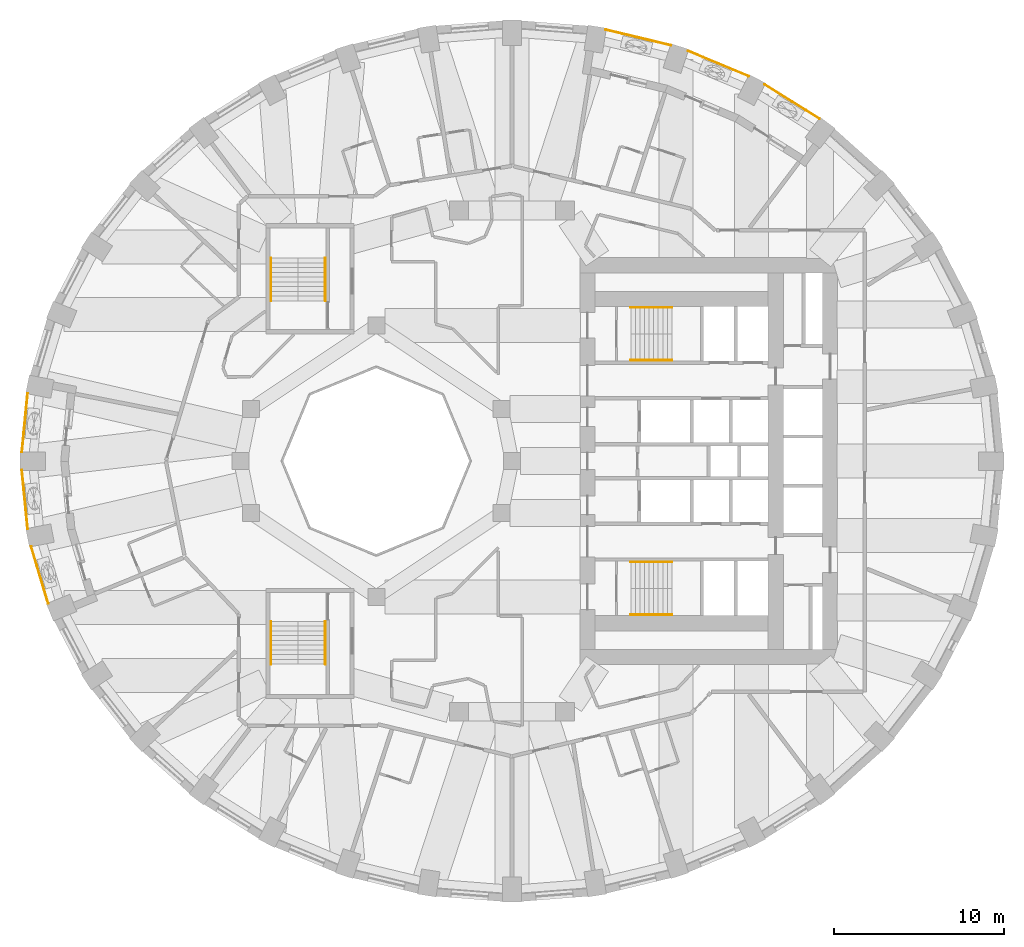
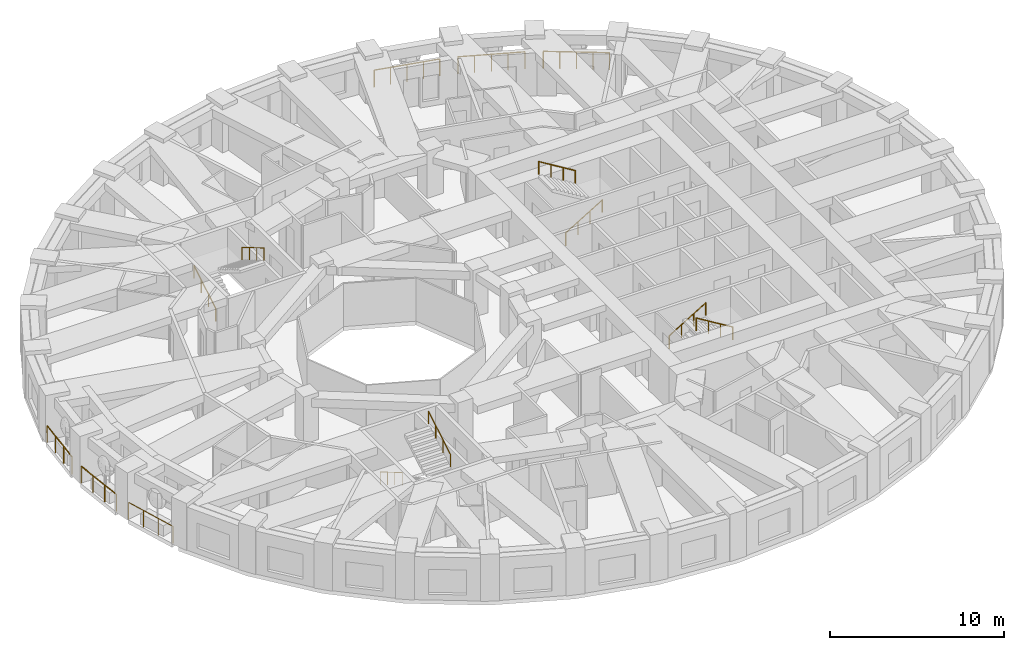
# One storey, part 12 of 14: 14 railings.
"""IFC4 building model written with IfcOpenShell, lengths in metres."""

from ifc_helpers import new_model, si_unit, direction, frame, origin, origin_2d, place, context, subcontext, project, spatial, circle, extrude, material, type_object, element, save


model = new_model("IFC4")

# Units and contexts
model_context = context("Model", 3, precision=1e-05, world=origin(), true_north=direction((0.0, 1.0)))
body_context = subcontext(model_context, "Body", "Model", "MODEL_VIEW")
ifc_project = project(units=[si_unit("LENGTHUNIT", "METRE"), si_unit("AREAUNIT", "SQUARE_METRE"), si_unit("VOLUMEUNIT", "CUBIC_METRE"), si_unit("PLANEANGLEUNIT", "RADIAN"), si_unit("MASSUNIT", "GRAM", prefix="KILO")], contexts=[model_context])

# Site, building, storey
site_placement = place(None, origin())
site = spatial("IfcSite", under=ifc_project, at=site_placement, CompositionType="ELEMENT")
building_placement = place(site_placement, origin())
building = spatial("IfcBuilding", under=site, at=building_placement, Name="Taillehof Tower", CompositionType="ELEMENT")
storey_placement = place(building_placement, frame((0.0, 0.0, 25.0)))
storey = spatial("IfcBuildingStorey", under=building, at=storey_placement, Name="L05", CompositionType="ELEMENT", Elevation=25.0)

# Railings
ifc_material_1 = material(Name="Stainless steel balustrade", Category="steel")
railing_type_1 = type_object("IfcRailingType", Name="Balcony guard 1200", PredefinedType="GUARDRAIL", material=ifc_material_1)
railing_1_placement = place(storey_placement, frame((18.12255859375, 20.176025390625, 0.0)))
element("IfcRailing", 1, at=railing_1_placement, inside=storey, type_object=railing_type_1, Name="Balcony guard L05 bay 6", PredefinedType="GUARDRAIL", context=body_context, shape_type="SweptSolid", body=[
    extrude(circle(Radius=0.02392578125, at=origin_2d()), frame((0.0, 0.0, 1.17578125), z_axis=(-0.847656150947, 0.530545992127, 0.0), x_axis=(-0.530545992127, -0.847656150947, 0.0)), (0.0, 0.0, 1.0), 3.810302734375),
    extrude(circle(Radius=0.02099609375, at=origin_2d()), origin(), (0.0, 0.0, 1.0), 1.15185546875),
    extrude(circle(Radius=0.02099609375, at=origin_2d()), frame((-0.807373046875, 0.50537109375, 0.0)), (0.0, 0.0, 1.0), 1.15185546875),
    extrude(circle(Radius=0.02099609375, at=origin_2d()), frame((-1.61474609375, 1.0107421875, 0.0)), (0.0, 0.0, 1.0), 1.15185546875),
    extrude(circle(Radius=0.02099609375, at=origin_2d()), frame((-2.42236328125, 1.51611328125, 0.0)), (0.0, 0.0, 1.0), 1.15185546875),
    extrude(circle(Radius=0.02099609375, at=origin_2d()), frame((-3.229736328125, 2.021484375, 0.0)), (0.0, 0.0, 1.0), 1.15185546875),
])
railing_2_placement = place(storey_placement, frame((13.951171875, 22.684326171875, 0.0)))
element("IfcRailing", 2, at=railing_2_placement, inside=storey, type_object=railing_type_1, Name="Balcony guard L05 bay 7", PredefinedType="GUARDRAIL", context=body_context, shape_type="SweptSolid", body=[
    extrude(circle(Radius=0.02392578125, at=origin_2d()), frame((0.0, 0.0, 1.17578125), z_axis=(-0.923011806559, 0.384771627011, 0.0), x_axis=(-0.384771627011, -0.923011806559, 0.0)), (0.0, 0.0, 1.0), 3.88330078125),
    extrude(circle(Radius=0.02099609375, at=origin_2d()), origin(), (0.0, 0.0, 1.0), 1.15185546875),
    extrude(circle(Radius=0.02099609375, at=origin_2d()), frame((-0.89599609375, 0.37353515625, 0.0)), (0.0, 0.0, 1.0), 1.15185546875),
    extrude(circle(Radius=0.02099609375, at=origin_2d()), frame((-1.7919921875, 0.7470703125, 0.0)), (0.0, 0.0, 1.0), 1.15185546875),
    extrude(circle(Radius=0.02099609375, at=origin_2d()), frame((-2.688232421875, 1.12060546875, 0.0)), (0.0, 0.0, 1.0), 1.15185546875),
    extrude(circle(Radius=0.02099609375, at=origin_2d()), frame((-3.584228515625, 1.494140625, 0.0)), (0.0, 0.0, 1.0), 1.15185546875),
])
railing_3_placement = place(storey_placement, frame((9.35888671875, 24.5068359375, 0.0)))
element("IfcRailing", 3, at=railing_3_placement, inside=storey, type_object=railing_type_1, Name="Balcony guard L05 bay 8", PredefinedType="GUARDRAIL", context=body_context, shape_type="SweptSolid", body=[
    extrude(circle(Radius=0.02392578125, at=origin_2d()), frame((0.0, 0.0, 1.17578125), z_axis=(-0.972495275648, 0.232922602687, 0.0), x_axis=(-0.232922602687, -0.972495275648, 0.0)), (0.0, 0.0, 1.0), 3.93701171875),
    extrude(circle(Radius=0.02099609375, at=origin_2d()), origin(), (0.0, 0.0, 1.0), 1.15185546875),
    extrude(circle(Radius=0.02099609375, at=origin_2d()), frame((-0.95703125, 0.229248046875, 0.0)), (0.0, 0.0, 1.0), 1.15185546875),
    extrude(circle(Radius=0.02099609375, at=origin_2d()), frame((-1.914306640625, 0.45849609375, 0.0)), (0.0, 0.0, 1.0), 1.15185546875),
    extrude(circle(Radius=0.02099609375, at=origin_2d()), frame((-2.87158203125, 0.687744140625, 0.0)), (0.0, 0.0, 1.0), 1.15185546875),
    extrude(circle(Radius=0.02099609375, at=origin_2d()), frame((-3.82861328125, 0.9169921875, 0.0)), (0.0, 0.0, 1.0), 1.15185546875),
])
railing_4_placement = place(storey_placement, frame((-28.549560546875, 3.987548828125, 0.0)))
element("IfcRailing", 4, at=railing_4_placement, inside=storey, type_object=railing_type_1, Name="Balcony guard L05 bay 18", PredefinedType="GUARDRAIL", context=body_context, shape_type="SweptSolid", body=[
    extrude(circle(Radius=0.02392578125, at=origin_2d()), frame((0.0, 0.0, 1.17578125), z_axis=(-0.097402182783, -0.995245102871, 0.0), x_axis=(0.995245102871, -0.097402182783, 0.0)), (0.0, 0.0, 1.0), 3.47412109375),
    extrude(circle(Radius=0.02099609375, at=origin_2d()), origin(), (0.0, 0.0, 1.0), 1.15185546875),
    extrude(circle(Radius=0.02099609375, at=origin_2d()), frame((-0.11279296875, -1.152587890625, 0.0)), (0.0, 0.0, 1.0), 1.15185546875),
    extrude(circle(Radius=0.02099609375, at=origin_2d()), frame((-0.2255859375, -2.304931640625, 0.0)), (0.0, 0.0, 1.0), 1.15185546875),
    extrude(circle(Radius=0.02099609375, at=origin_2d()), frame((-0.33837890625, -3.45751953125, 0.0)), (0.0, 0.0, 1.0), 1.15185546875),
])
railing_5_placement = place(storey_placement, frame((-28.887939453125, -0.530029296875, 0.0)))
element("IfcRailing", 5, at=railing_5_placement, inside=storey, type_object=railing_type_1, Name="Balcony guard L05 bay 19", PredefinedType="GUARDRAIL", context=body_context, shape_type="SweptSolid", body=[
    extrude(circle(Radius=0.02392578125, at=origin_2d()), frame((0.0, 0.0, 1.17578125), z_axis=(0.097402182783, -0.995245102871, 0.0), x_axis=(0.995245102871, 0.097402182783, 0.0)), (0.0, 0.0, 1.0), 3.47412109375),
    extrude(circle(Radius=0.02099609375, at=origin_2d()), origin(), (0.0, 0.0, 1.0), 1.15185546875),
    extrude(circle(Radius=0.02099609375, at=origin_2d()), frame((0.11279296875, -1.152587890625, 0.0)), (0.0, 0.0, 1.0), 1.15185546875),
    extrude(circle(Radius=0.02099609375, at=origin_2d()), frame((0.2255859375, -2.304931640625, 0.0)), (0.0, 0.0, 1.0), 1.15185546875),
    extrude(circle(Radius=0.02099609375, at=origin_2d()), frame((0.33837890625, -3.45751953125, 0.0)), (0.0, 0.0, 1.0), 1.15185546875),
])
railing_6_placement = place(storey_placement, frame((-28.3447265625, -5.02783203125, 0.0)))
element("IfcRailing", 6, at=railing_6_placement, inside=storey, type_object=railing_type_1, Name="Balcony guard L05 bay 20", PredefinedType="GUARDRAIL", context=body_context, shape_type="SweptSolid", body=[
    extrude(circle(Radius=0.02392578125, at=origin_2d()), frame((0.0, 0.0, 1.17578125), z_axis=(0.287098668231, -0.957901015085, 0.0), x_axis=(0.957901015085, 0.287098668231, 0.0)), (0.0, 0.0, 1.0), 3.505126953125),
    extrude(circle(Radius=0.02099609375, at=origin_2d()), origin(), (0.0, 0.0, 1.0), 1.15185546875),
    extrude(circle(Radius=0.02099609375, at=origin_2d()), frame((0.33544921875, -1.119140625, 0.0)), (0.0, 0.0, 1.0), 1.15185546875),
    extrude(circle(Radius=0.02099609375, at=origin_2d()), frame((0.6708984375, -2.238525390625, 0.0)), (0.0, 0.0, 1.0), 1.15185546875),
    extrude(circle(Radius=0.02099609375, at=origin_2d()), frame((1.00634765625, -3.357666015625, 0.0)), (0.0, 0.0, 1.0), 1.15185546875),
])
ifc_material_2 = material(Name="Stainless steel", Category="steel")
railing_type_2 = type_object("IfcRailingType", Name="Stair handrail 900", PredefinedType="HANDRAIL", material=ifc_material_2)
railing_7_placement = place(storey_placement, frame((7.0, 5.949951171875, 0.1650390625)))
element("IfcRailing", 7, at=railing_7_placement, inside=storey, type_object=railing_type_2, Name="Stair S1 handrail", PredefinedType="HANDRAIL", context=body_context, shape_type="SweptSolid", body=[
    extrude(circle(Radius=0.02392578125, at=origin_2d()), frame((0.0, 0.0, 0.8759765625), z_axis=(0.853296667938, 0.0, 0.521425734392), x_axis=(0.0, 1.0, 0.0)), (0.0, 0.0, 1.0), 2.84765625),
    extrude(circle(Radius=0.02099609375, at=origin_2d()), origin(), (0.0, 0.0, 1.0), 0.851806640625),
    extrude(circle(Radius=0.02099609375, at=origin_2d()), frame((0.81005859375, 0.0, 0.494873046875)), (0.0, 0.0, 1.0), 0.851806640625),
    extrude(circle(Radius=0.02099609375, at=origin_2d()), frame((1.619873046875, 0.0, 0.989990234375)), (0.0, 0.0, 1.0), 0.851806640625),
    extrude(circle(Radius=0.02099609375, at=origin_2d()), frame((2.429931640625, 0.0, 1.48486328125)), (0.0, 0.0, 1.0), 0.851806640625),
])
railing_8_placement = place(storey_placement, frame((9.429931640625, 9.050048828125, 1.81494140625)))
element("IfcRailing", 8, at=railing_8_placement, inside=storey, type_object=railing_type_2, Name="Stair S1 handrail", PredefinedType="HANDRAIL", context=body_context, shape_type="SweptSolid", body=[
    extrude(circle(Radius=0.02392578125, at=origin_2d()), frame((0.0, 0.0, 0.8759765625), z_axis=(-0.853258522278, 0.0, 0.521488153423), x_axis=(0.0, -1.0, 0.0)), (0.0, 0.0, 1.0), 2.847900390625),
    extrude(circle(Radius=0.02099609375, at=origin_2d()), origin(), (0.0, 0.0, 1.0), 0.851806640625),
    extrude(circle(Radius=0.02099609375, at=origin_2d()), frame((-0.81005859375, 0.0, 0.4951171875)), (0.0, 0.0, 1.0), 0.851806640625),
    extrude(circle(Radius=0.02099609375, at=origin_2d()), frame((-1.619873046875, 0.0, 0.989990234375)), (0.0, 0.0, 1.0), 0.851806640625),
    extrude(circle(Radius=0.02099609375, at=origin_2d()), frame((-2.429931640625, 0.0, 1.485107421875)), (0.0, 0.0, 1.0), 0.851806640625),
])
railing_9_placement = place(storey_placement, frame((7.0, -5.949951171875, 0.1650390625)))
element("IfcRailing", 9, at=railing_9_placement, inside=storey, type_object=railing_type_2, Name="Stair S2 handrail", PredefinedType="HANDRAIL", context=body_context, shape_type="SweptSolid", body=[
    extrude(circle(Radius=0.02392578125, at=origin_2d()), frame((0.0, 0.0, 0.8759765625), z_axis=(0.853296667938, 0.0, 0.521425734392), x_axis=(0.0, 1.0, 0.0)), (0.0, 0.0, 1.0), 2.84765625),
    extrude(circle(Radius=0.02099609375, at=origin_2d()), origin(), (0.0, 0.0, 1.0), 0.851806640625),
    extrude(circle(Radius=0.02099609375, at=origin_2d()), frame((0.81005859375, 0.0, 0.494873046875)), (0.0, 0.0, 1.0), 0.851806640625),
    extrude(circle(Radius=0.02099609375, at=origin_2d()), frame((1.619873046875, 0.0, 0.989990234375)), (0.0, 0.0, 1.0), 0.851806640625),
    extrude(circle(Radius=0.02099609375, at=origin_2d()), frame((2.429931640625, 0.0, 1.48486328125)), (0.0, 0.0, 1.0), 0.851806640625),
])
railing_10_placement = place(storey_placement, frame((9.429931640625, -9.050048828125, 1.81494140625)))
element("IfcRailing", 10, at=railing_10_placement, inside=storey, type_object=railing_type_2, Name="Stair S2 handrail", PredefinedType="HANDRAIL", context=body_context, shape_type="SweptSolid", body=[
    extrude(circle(Radius=0.02392578125, at=origin_2d()), frame((0.0, 0.0, 0.8759765625), z_axis=(-0.853258522278, 0.0, 0.521488153423), x_axis=(0.0, -1.0, 0.0)), (0.0, 0.0, 1.0), 2.847900390625),
    extrude(circle(Radius=0.02099609375, at=origin_2d()), origin(), (0.0, 0.0, 1.0), 0.851806640625),
    extrude(circle(Radius=0.02099609375, at=origin_2d()), frame((-0.81005859375, 0.0, 0.4951171875)), (0.0, 0.0, 1.0), 0.851806640625),
    extrude(circle(Radius=0.02099609375, at=origin_2d()), frame((-1.619873046875, 0.0, 0.989990234375)), (0.0, 0.0, 1.0), 0.851806640625),
    extrude(circle(Radius=0.02099609375, at=origin_2d()), frame((-2.429931640625, 0.0, 1.485107421875)), (0.0, 0.0, 1.0), 0.851806640625),
])
railing_11_placement = place(storey_placement, frame((-14.199951171875, 9.449951171875, 0.1650390625)))
element("IfcRailing", 11, at=railing_11_placement, inside=storey, type_object=railing_type_2, Name="Stair S3 handrail", PredefinedType="HANDRAIL", context=body_context, shape_type="SweptSolid", body=[
    extrude(circle(Radius=0.02392578125, at=origin_2d()), frame((0.0, 0.0, 0.8759765625), z_axis=(0.0, 0.861560626758, 0.507654692109), x_axis=(-1.0, 0.0, 0.0)), (0.0, 0.0, 1.0), 2.925048828125),
    extrude(circle(Radius=0.02099609375, at=origin_2d()), origin(), (0.0, 0.0, 1.0), 0.851806640625),
    extrude(circle(Radius=0.02099609375, at=origin_2d()), frame((0.0, 0.840087890625, 0.494873046875)), (0.0, 0.0, 1.0), 0.851806640625),
    extrude(circle(Radius=0.02099609375, at=origin_2d()), frame((0.0, 1.679931640625, 0.989990234375)), (0.0, 0.0, 1.0), 0.851806640625),
    extrude(circle(Radius=0.02099609375, at=origin_2d()), frame((0.0, 2.52001953125, 1.48486328125)), (0.0, 0.0, 1.0), 0.851806640625),
])
railing_12_placement = place(storey_placement, frame((-11.0, 11.969970703125, 1.81494140625)))
element("IfcRailing", 12, at=railing_12_placement, inside=storey, type_object=railing_type_2, Name="Stair S3 handrail", PredefinedType="HANDRAIL", context=body_context, shape_type="SweptSolid", body=[
    extrude(circle(Radius=0.02392578125, at=origin_2d()), frame((0.0, 0.0, 0.8759765625), z_axis=(0.0, -0.86152411907, 0.507716645641), x_axis=(1.0, 0.0, 0.0)), (0.0, 0.0, 1.0), 2.925048828125),
    extrude(circle(Radius=0.02099609375, at=origin_2d()), origin(), (0.0, 0.0, 1.0), 0.851806640625),
    extrude(circle(Radius=0.02099609375, at=origin_2d()), frame((0.0, -0.840087890625, 0.4951171875)), (0.0, 0.0, 1.0), 0.851806640625),
    extrude(circle(Radius=0.02099609375, at=origin_2d()), frame((0.0, -1.679931640625, 0.989990234375)), (0.0, 0.0, 1.0), 0.851806640625),
    extrude(circle(Radius=0.02099609375, at=origin_2d()), frame((0.0, -2.52001953125, 1.485107421875)), (0.0, 0.0, 1.0), 0.851806640625),
])
railing_13_placement = place(storey_placement, frame((-14.199951171875, -9.449951171875, 0.1650390625)))
element("IfcRailing", 13, at=railing_13_placement, inside=storey, type_object=railing_type_2, Name="Stair S4 handrail", PredefinedType="HANDRAIL", context=body_context, shape_type="SweptSolid", body=[
    extrude(circle(Radius=0.02392578125, at=origin_2d()), frame((0.0, 0.0, 0.8759765625), z_axis=(0.0, -0.861560626758, 0.507654692109), x_axis=(1.0, 0.0, 0.0)), (0.0, 0.0, 1.0), 2.925048828125),
    extrude(circle(Radius=0.02099609375, at=origin_2d()), origin(), (0.0, 0.0, 1.0), 0.851806640625),
    extrude(circle(Radius=0.02099609375, at=origin_2d()), frame((0.0, -0.840087890625, 0.494873046875)), (0.0, 0.0, 1.0), 0.851806640625),
    extrude(circle(Radius=0.02099609375, at=origin_2d()), frame((0.0, -1.679931640625, 0.989990234375)), (0.0, 0.0, 1.0), 0.851806640625),
    extrude(circle(Radius=0.02099609375, at=origin_2d()), frame((0.0, -2.52001953125, 1.48486328125)), (0.0, 0.0, 1.0), 0.851806640625),
])
railing_14_placement = place(storey_placement, frame((-11.0, -11.969970703125, 1.81494140625)))
element("IfcRailing", 14, at=railing_14_placement, inside=storey, type_object=railing_type_2, Name="Stair S4 handrail", PredefinedType="HANDRAIL", context=body_context, shape_type="SweptSolid", body=[
    extrude(circle(Radius=0.02392578125, at=origin_2d()), frame((0.0, 0.0, 0.8759765625), z_axis=(0.0, 0.86152411907, 0.507716645641), x_axis=(-1.0, 0.0, 0.0)), (0.0, 0.0, 1.0), 2.925048828125),
    extrude(circle(Radius=0.02099609375, at=origin_2d()), origin(), (0.0, 0.0, 1.0), 0.851806640625),
    extrude(circle(Radius=0.02099609375, at=origin_2d()), frame((0.0, 0.840087890625, 0.4951171875)), (0.0, 0.0, 1.0), 0.851806640625),
    extrude(circle(Radius=0.02099609375, at=origin_2d()), frame((0.0, 1.679931640625, 0.989990234375)), (0.0, 0.0, 1.0), 0.851806640625),
    extrude(circle(Radius=0.02099609375, at=origin_2d()), frame((0.0, 2.52001953125, 1.485107421875)), (0.0, 0.0, 1.0), 0.851806640625),
])

save(model, "model.ifc")
